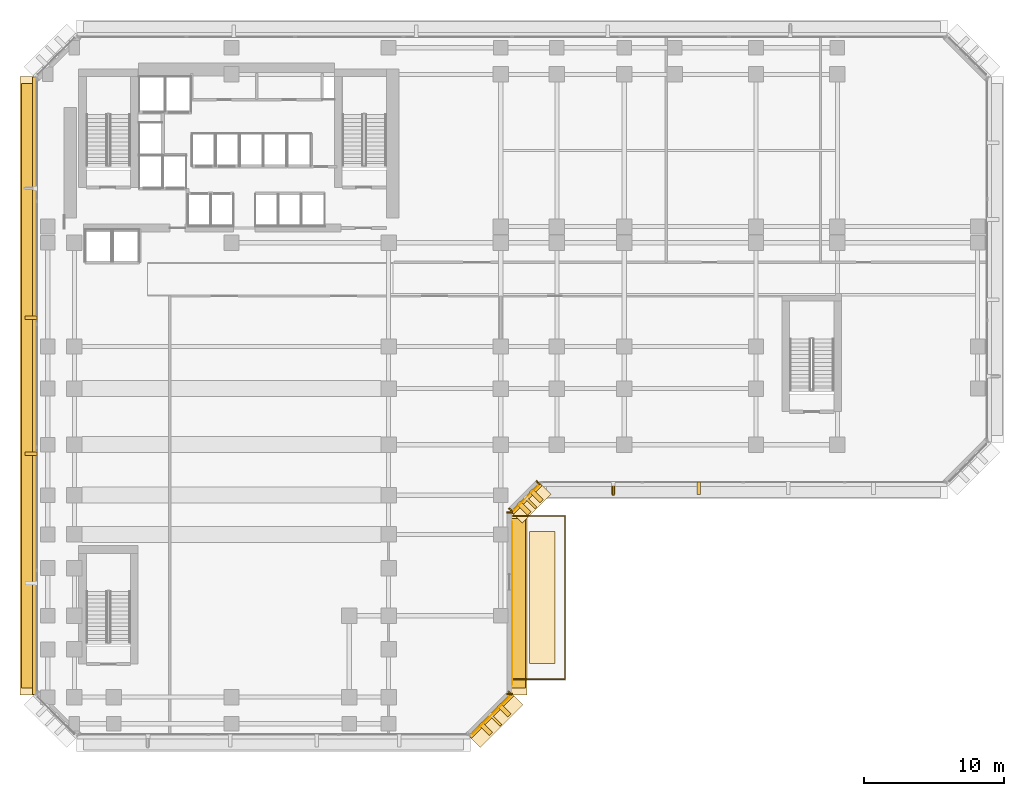
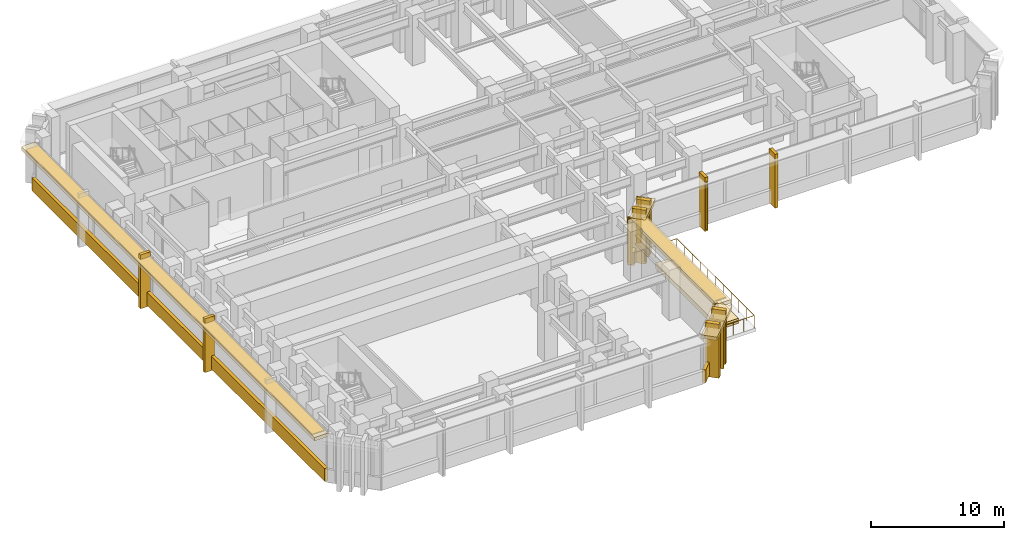
# One storey, part 11 of 16: 24 coverings, 5 shading devices, 1 railing.
"""IFC4 building model written with IfcOpenShell, lengths in metres."""

from ifc_helpers import new_model, si_unit, direction, frame, origin, origin_2d, place, context, subcontext, project, spatial, polyline, rectangle, circle, outline, extrude, material, layer, layer_set, material_profile, profile_set, type_object, element, save


model = new_model("IFC4")

# Units and contexts
model_context = context("Model", 3, precision=1e-05, world=origin(), true_north=direction((0.0, 1.0)))
body_context = subcontext(model_context, "Body", "Model", "MODEL_VIEW")
ifc_project = project(units=[si_unit("LENGTHUNIT", "METRE"), si_unit("AREAUNIT", "SQUARE_METRE"), si_unit("VOLUMEUNIT", "CUBIC_METRE"), si_unit("PLANEANGLEUNIT", "RADIAN"), si_unit("MASSUNIT", "GRAM", prefix="KILO")], contexts=[model_context])

# Site, building, storey
site_placement = place(None, origin())
site = spatial("IfcSite", under=ifc_project, at=site_placement, CompositionType="ELEMENT")
building_placement = place(site_placement, origin())
building = spatial("IfcBuilding", under=site, at=building_placement, Name="Kefirva Bronze Tower", CompositionType="ELEMENT")
storey_placement = place(building_placement, frame((0.0, 0.0, 21.1201171875)))
storey = spatial("IfcBuildingStorey", under=building, at=storey_placement, Name="L04", CompositionType="ELEMENT", Elevation=21.1201171875)

# Coverings
ifc_material_1 = material(Name="Bronze anodised aluminium", Category="aluminium")
ifc_layer_1 = layer(ifc_material_1, 0.02001953125, Name="Bronze anodised aluminium")
ifc_layer_set_1 = layer_set([ifc_layer_1], Name="Bronze anodised aluminium")
covering_type_1 = type_object("IfcCoveringType", Name="Anodised Bronze Spandrel Cladding 20mm", PredefinedType="CLADDING", material=ifc_layer_set_1)
covering_1_placement = place(storey_placement, frame((30.507080078125, -0.507080078125, 3.780029296875), z_axis=(0.0, 0.0, 1.0), x_axis=(0.707106781187, 0.707106781187, 0.0)))
element("IfcCovering", 1, at=covering_1_placement, inside=storey, type_object=covering_type_1, Name="L04 Bronze Spandrel Cladding 1", PredefinedType="CLADDING", context=body_context, shape_type="SweptSolid", body=[
    extrude(rectangle(XDim=3.719482421875, YDim=0.02001953125, at=origin_2d()), origin(), (0.0, 0.0, 1.0), 0.39990234375),
])
covering_2_placement = place(storey_placement, frame((31.847900390625, 1.1025390625, 0.0), z_axis=(0.0, 0.0, 1.0), x_axis=(0.707106781187, 0.707106781187, 0.0)))
element("IfcCovering", 2, at=covering_2_placement, inside=storey, type_object=covering_type_1, Name="L04 Facade Joint Closure Panel 1E", PredefinedType="CLADDING", context=body_context, shape_type="SweptSolid", body=[
    extrude(rectangle(XDim=0.10009765625, YDim=0.360107421875, at=origin_2d()), origin(), (0.0, 0.0, 1.0), 4.199951171875),
])
covering_3_placement = place(storey_placement, frame((30.5283203125, -0.5283203125, -0.16015625), z_axis=(0.0, 0.0, 1.0), x_axis=(0.707106781187, 0.707106781187, 0.0)))
element("IfcCovering", 3, at=covering_3_placement, inside=storey, type_object=covering_type_1, Name="L04 Streamline Horizontal Spandrel Band 1", PredefinedType="CLADDING", context=body_context, shape_type="SweptSolid", body=[
    extrude(rectangle(XDim=4.28271484375, YDim=0.280029296875, at=origin_2d()), origin(), (0.0, 0.0, 1.0), 1.179931640625),
])
covering_4_placement = place(storey_placement, frame((32.010009765625, 7.5, 3.780029296875), z_axis=(0.0, 0.0, 1.0), x_axis=(0.0, 1.0, 0.0)))
element("IfcCovering", 4, at=covering_4_placement, inside=storey, type_object=covering_type_1, Name="L04 Bronze Spandrel Cladding 2", PredefinedType="CLADDING", context=body_context, shape_type="SweptSolid", body=[
    extrude(rectangle(XDim=11.60107421875, YDim=0.02001953125, at=origin_2d()), origin(), (0.0, 0.0, 1.0), 0.39990234375),
])
for number, where, z_axis, x_axis, name in (
    (5, (31.820068359375, 1.034912109375, 0.0), (0.0, 0.0, 1.0), (0.0, 1.0, 0.0), "L04 Facade Joint Closure Panel 2S"),
    (6, (31.820068359375, 13.965087890625, 0.0), (0.0, 0.0, 1.0), (0.0, 1.0, 0.0), "L04 Facade Joint Closure Panel 2E"),
):
    element("IfcCovering", number, at=place(storey_placement, frame(where, z_axis=z_axis, x_axis=x_axis)), inside=storey, type_object=covering_type_1, Name=name, PredefinedType="CLADDING", context=body_context, shape_type="SweptSolid", body=[
        extrude(rectangle(XDim=0.10009765625, YDim=0.360107421875, at=origin_2d()), origin(), (0.0, 0.0, 1.0), 4.199951171875),
    ])
covering_5_placement = place(storey_placement, frame((33.007080078125, 14.992919921875, 3.780029296875), z_axis=(0.0, 0.0, 1.0), x_axis=(0.707106781187, 0.707106781187, 0.0)))
element("IfcCovering", 7, at=covering_5_placement, inside=storey, type_object=covering_type_1, Name="L04 Bronze Spandrel Cladding 3", PredefinedType="CLADDING", context=body_context, shape_type="SweptSolid", body=[
    extrude(rectangle(XDim=2.446533203125, YDim=0.02001953125, at=origin_2d()), origin(), (0.0, 0.0, 1.0), 0.39990234375),
])
for number, where, z_axis, x_axis, name in (
    (8, (31.8974609375, 14.152099609375, 0.0), (0.0, 0.0, 1.0), (0.707106781187, 0.707106781187, 0.0), "L04 Facade Joint Closure Panel 3S"),
    (9, (33.847900390625, 16.1025390625, 0.0), (0.0, 0.0, 1.0), (0.707106781187, 0.707106781187, 0.0), "L04 Facade Joint Closure Panel 3E"),
):
    element("IfcCovering", number, at=place(storey_placement, frame(where, z_axis=z_axis, x_axis=x_axis)), inside=storey, type_object=covering_type_1, Name=name, PredefinedType="CLADDING", context=body_context, shape_type="SweptSolid", body=[
        extrude(rectangle(XDim=0.10009765625, YDim=0.360107421875, at=origin_2d()), origin(), (0.0, 0.0, 1.0), 4.199951171875),
    ])
covering_6_placement = place(storey_placement, frame((33.0283203125, 14.9716796875, -0.16015625), z_axis=(0.0, 0.0, 1.0), x_axis=(0.707106781187, 0.707106781187, 0.0)))
element("IfcCovering", 10, at=covering_6_placement, inside=storey, type_object=covering_type_1, Name="L04 Streamline Horizontal Spandrel Band 3", PredefinedType="CLADDING", context=body_context, shape_type="SweptSolid", body=[
    extrude(rectangle(XDim=2.868408203125, YDim=0.280029296875, at=origin_2d()), origin(), (0.0, 0.0, 1.0), 1.179931640625),
])
covering_7_placement = place(storey_placement, frame((-2.0400390625, 23.0, -0.16015625), z_axis=(0.0, 0.0, 1.0), x_axis=(0.0, -1.0, 0.0)))
element("IfcCovering", 11, at=covering_7_placement, inside=storey, type_object=covering_type_1, Name="L04 Streamline Horizontal Spandrel Band 10", PredefinedType="CLADDING", context=body_context, shape_type="SweptSolid", body=[
    extrude(rectangle(XDim=44.0400390625, YDim=0.280029296875, at=origin_2d()), origin(), (0.0, 0.0, 1.0), 1.179931640625),
])

# Shading devices
ifc_material_profile_1 = material_profile(ifc_material_1, rectangle(XDim=0.179931640625, YDim=1.080078125, at=origin_2d()), Name="BRONZE BUTTRESS FIN 180x1080")
ifc_profile_set_1 = profile_set([ifc_material_profile_1], Name="Bronze anodised aluminium")
shading_device_type_1 = type_object("IfcShadingDeviceType", Name="Chamfered Corner Buttress Bronze Fin 1080mm", PredefinedType="USERDEFINED", material=ifc_profile_set_1)
for number, where, z_axis, x_axis, name in (
    (12, (30.8251953125, -0.8251953125, -0.14013671875), (0.0, 0.0, 1.0), (0.707106781187, 0.707106781187, 0.0), "L04 Chamfered Corner Buttress Fin 6"),
    (13, (33.3251953125, 14.6748046875, -0.14013671875), (0.0, 0.0, 1.0), (0.707106781187, 0.707106781187, 0.0), "L04 Chamfered Corner Buttress Fin 8"),
):
    element("IfcShadingDevice", number, at=place(storey_placement, frame(where, z_axis=z_axis, x_axis=x_axis)), inside=storey, type_object=shading_device_type_1, Name=name, ObjectType="VERTICAL FIN", PredefinedType="USERDEFINED", context=body_context, shape_type="SweptSolid", body=[
        extrude(rectangle(XDim=0.179931640625, YDim=1.080078125, at=origin_2d()), origin(), (0.0, 0.0, 1.0), 4.340087890625),
    ])

# Railing
railing_type = type_object("IfcRailingType", Name="Exterior Ship-Deck Terrace Guardrail 1150mm", PredefinedType="GUARDRAIL", material=ifc_material_1)
railing_placement = place(storey_placement, frame((32.070068359375, 2.080078125, 0.0)))
element("IfcRailing", 14, at=railing_placement, inside=storey, type_object=railing_type, Name="L04 Terrace Perimeter Guardrail", PredefinedType="GUARDRAIL", context=body_context, shape_type="SweptSolid", body=[
    extrude(circle(Radius=0.02392578125, at=origin_2d()), frame((0.0, 0.0, 1.1259765625), z_axis=(1.0, 0.0, 0.0), x_axis=(0.0, 1.0, 0.0)), (0.0, 0.0, 1.0), 3.699951171875),
    extrude(circle(Radius=0.02392578125, at=origin_2d()), frame((3.699951171875, 0.0, 1.1259765625), z_axis=(0.0, 1.0, 0.0), x_axis=(-1.0, 0.0, 0.0)), (0.0, 0.0, 1.0), 11.639892578125),
    extrude(circle(Radius=0.02392578125, at=origin_2d()), frame((3.699951171875, 11.639892578125, 1.1259765625), z_axis=(-1.0, 0.0, 0.0), x_axis=(0.0, -1.0, 0.0)), (0.0, 0.0, 1.0), 3.699951171875),
    extrude(circle(Radius=0.02099609375, at=origin_2d()), origin(), (0.0, 0.0, 1.0), 1.101806640625),
    extrude(circle(Radius=0.02099609375, at=origin_2d()), frame((0.925048828125, 0.0, 0.0)), (0.0, 0.0, 1.0), 1.101806640625),
    extrude(circle(Radius=0.02099609375, at=origin_2d()), frame((1.85009765625, 0.0, 0.0)), (0.0, 0.0, 1.0), 1.101806640625),
    extrude(circle(Radius=0.02099609375, at=origin_2d()), frame((2.77490234375, 0.0, 0.0)), (0.0, 0.0, 1.0), 1.101806640625),
    extrude(circle(Radius=0.02099609375, at=origin_2d()), frame((3.699951171875, 0.0, 0.0)), (0.0, 0.0, 1.0), 1.101806640625),
    extrude(circle(Radius=0.02099609375, at=origin_2d()), frame((3.699951171875, 1.1640625, 0.0)), (0.0, 0.0, 1.0), 1.101806640625),
    extrude(circle(Radius=0.02099609375, at=origin_2d()), frame((3.699951171875, 2.327880859375, 0.0)), (0.0, 0.0, 1.0), 1.101806640625),
    extrude(circle(Radius=0.02099609375, at=origin_2d()), frame((3.699951171875, 3.491943359375, 0.0)), (0.0, 0.0, 1.0), 1.101806640625),
    extrude(circle(Radius=0.02099609375, at=origin_2d()), frame((3.699951171875, 4.656005859375, 0.0)), (0.0, 0.0, 1.0), 1.101806640625),
    extrude(circle(Radius=0.02099609375, at=origin_2d()), frame((3.699951171875, 5.81982421875, 0.0)), (0.0, 0.0, 1.0), 1.101806640625),
    extrude(circle(Radius=0.02099609375, at=origin_2d()), frame((3.699951171875, 6.98388671875, 0.0)), (0.0, 0.0, 1.0), 1.101806640625),
    extrude(circle(Radius=0.02099609375, at=origin_2d()), frame((3.699951171875, 8.14794921875, 0.0)), (0.0, 0.0, 1.0), 1.101806640625),
    extrude(circle(Radius=0.02099609375, at=origin_2d()), frame((3.699951171875, 9.31201171875, 0.0)), (0.0, 0.0, 1.0), 1.101806640625),
    extrude(circle(Radius=0.02099609375, at=origin_2d()), frame((3.699951171875, 10.475830078125, 0.0)), (0.0, 0.0, 1.0), 1.101806640625),
    extrude(circle(Radius=0.02099609375, at=origin_2d()), frame((3.699951171875, 11.639892578125, 0.0)), (0.0, 0.0, 1.0), 1.101806640625),
    extrude(circle(Radius=0.02099609375, at=origin_2d()), frame((2.77490234375, 11.639892578125, 0.0)), (0.0, 0.0, 1.0), 1.101806640625),
    extrude(circle(Radius=0.02099609375, at=origin_2d()), frame((1.85009765625, 11.639892578125, 0.0)), (0.0, 0.0, 1.0), 1.101806640625),
    extrude(circle(Radius=0.02099609375, at=origin_2d()), frame((0.925048828125, 11.639892578125, 0.0)), (0.0, 0.0, 1.0), 1.101806640625),
    extrude(circle(Radius=0.02099609375, at=origin_2d()), frame((0.0, 11.639892578125, 0.0)), (0.0, 0.0, 1.0), 1.101806640625),
])

# Shading devices
ifc_layer_2 = layer(ifc_material_1, 0.1201171875, Name="Bronze anodised aluminium")
ifc_layer_set_2 = layer_set([ifc_layer_2], Name="Bronze anodised aluminium")
shading_device_type_2 = type_object("IfcShadingDeviceType", Name="Podium Deep Bronze Canopy Sunshade 1050mm", PredefinedType="JALOUSIE", material=ifc_layer_set_2)
shading_device_1_placement = place(storey_placement, frame((32.445068359375, 7.5, 4.0947265625), z_axis=(0.0, 0.0, 1.0), x_axis=(0.0, 1.0, 0.0)))
element("IfcShadingDevice", 15, at=shading_device_1_placement, inside=storey, type_object=shading_device_type_2, Name="L04 Horizontal Bronze Sunshade Band 2", PredefinedType="JALOUSIE", context=body_context, shape_type="SweptSolid", body=[
    extrude(rectangle(XDim=12.090087890625, YDim=1.050048828125, at=origin_2d()), origin(), (0.0, 0.0, 1.0), 0.090087890625),
])
shading_device_2_placement = place(storey_placement, frame((-2.445068359375, 23.0, 4.0947265625), z_axis=(0.0, 0.0, 1.0), x_axis=(0.0, -1.0, 0.0)))
element("IfcShadingDevice", 16, at=shading_device_2_placement, inside=storey, type_object=shading_device_type_2, Name="L04 Horizontal Bronze Sunshade Band 10", PredefinedType="JALOUSIE", context=body_context, shape_type="SweptSolid", body=[
    extrude(rectangle(XDim=43.090087890625, YDim=1.050048828125, at=origin_2d()), origin(), (0.0, 0.0, 1.0), 0.090087890625),
])

# Coverings
ifc_material_2 = material(Name="Planted sky-garden soil substrate")
ifc_layer_3 = layer(ifc_material_2, 0.449951171875, Name="Planted sky-garden soil substrate")
ifc_layer_set_3 = layer_set([ifc_layer_3], Name="Planted sky-garden soil substrate")
covering_type_2 = type_object("IfcCoveringType", Name="Sky-Garden Planted Substrate Bed 450mm", PredefinedType="USERDEFINED", material=ifc_layer_set_3)
covering_8_placement = place(storey_placement, origin())
element("IfcCovering", 17, at=covering_8_placement, inside=storey, type_object=covering_type_2, Name="L04 Sky-Garden Planter Bed", ObjectType="PLANTER", PredefinedType="USERDEFINED", context=body_context, shape_type="SweptSolid", body=[
    extrude(outline(polyline([(33.25, 3.199951171875), (35.050048828125, 3.199951171875), (35.050048828125, 12.60009765625), (33.25, 12.60009765625), (33.25, 3.199951171875)])), origin(), (0.0, 0.0, 1.0), 0.449951171875),
])
ifc_layer_4 = layer(ifc_material_1, 0.179931640625, Name="Bronze anodised aluminium")
ifc_layer_set_4 = layer_set([ifc_layer_4], Name="Bronze anodised aluminium")
covering_type_3 = type_object("IfcCoveringType", Name="Streamline Bronze Sunshade Eyebrow Cladding 180mm", PredefinedType="CLADDING", material=ifc_layer_set_4)
covering_9_placement = place(storey_placement, frame((30.8251953125, -0.8251953125, 3.8798828125), z_axis=(0.0, 0.0, 1.0), x_axis=(0.707106781187, 0.707106781187, 0.0)))
element("IfcCovering", 18, at=covering_9_placement, inside=storey, type_object=covering_type_3, Name="L04 Streamline Bronze Sunshade Eyebrow 1", PredefinedType="CLADDING", context=body_context, shape_type="SweptSolid", body=[
    extrude(rectangle(XDim=4.322509765625, YDim=1.239990234375, at=origin_2d()), origin(), (0.0, 0.0, 1.0), 0.320068359375),
])
covering_10_placement = place(storey_placement, frame((32.4599609375, 7.5, 3.8798828125), z_axis=(0.0, 0.0, 1.0), x_axis=(0.0, 1.0, 0.0)))
element("IfcCovering", 19, at=covering_10_placement, inside=storey, type_object=covering_type_3, Name="L04 Streamline Bronze Sunshade Eyebrow 2", PredefinedType="CLADDING", context=body_context, shape_type="SweptSolid", body=[
    extrude(rectangle(XDim=13.080078125, YDim=1.239990234375, at=origin_2d()), origin(), (0.0, 0.0, 1.0), 0.320068359375),
])
covering_11_placement = place(storey_placement, frame((33.3251953125, 14.6748046875, 3.8798828125), z_axis=(0.0, 0.0, 1.0), x_axis=(0.707106781187, 0.707106781187, 0.0)))
element("IfcCovering", 20, at=covering_11_placement, inside=storey, type_object=covering_type_3, Name="L04 Streamline Bronze Sunshade Eyebrow 3", PredefinedType="CLADDING", context=body_context, shape_type="SweptSolid", body=[
    extrude(rectangle(XDim=2.908447265625, YDim=1.239990234375, at=origin_2d()), origin(), (0.0, 0.0, 1.0), 0.320068359375),
])
covering_12_placement = place(storey_placement, frame((-2.4599609375, 23.0, 3.8798828125), z_axis=(0.0, 0.0, 1.0), x_axis=(0.0, -1.0, 0.0)))
element("IfcCovering", 21, at=covering_12_placement, inside=storey, type_object=covering_type_3, Name="L04 Streamline Bronze Sunshade Eyebrow 10", PredefinedType="CLADDING", context=body_context, shape_type="SweptSolid", body=[
    extrude(rectangle(XDim=44.080078125, YDim=1.239990234375, at=origin_2d()), origin(), (0.0, 0.0, 1.0), 0.320068359375),
])
ifc_layer_5 = layer(ifc_material_1, 0.260009765625, Name="Bronze anodised aluminium")
ifc_layer_set_5 = layer_set([ifc_layer_5], Name="Bronze anodised aluminium")
covering_type_4 = type_object("IfcCoveringType", Name="Unbroken Bronze Buttress Fin Cladding 260mm", PredefinedType="CLADDING", material=ifc_layer_set_5)
for number, where, z_axis, x_axis, name in (
    (22, (30.122802734375, -1.44287109375, -0.320068359375), (0.0, 0.0, 1.0), (0.707106781187, 0.707106781187, 0.0), "L04 Chamfered Corner Buttress Fin Cladding 5"),
    (23, (31.44287109375, -0.122802734375, -0.320068359375), (0.0, 0.0, 1.0), (0.707106781187, 0.707106781187, 0.0), "L04 Chamfered Corner Buttress Fin Cladding 6"),
    (24, (32.8427734375, 14.277099609375, -0.320068359375), (0.0, 0.0, 1.0), (0.707106781187, 0.707106781187, 0.0), "L04 Chamfered Corner Buttress Fin Cladding 7"),
    (25, (33.722900390625, 15.1572265625, -0.320068359375), (0.0, 0.0, 1.0), (0.707106781187, 0.707106781187, 0.0), "L04 Chamfered Corner Buttress Fin Cladding 8"),
):
    element("IfcCovering", number, at=place(storey_placement, frame(where, z_axis=z_axis, x_axis=x_axis)), inside=storey, type_object=covering_type_4, Name=name, PredefinedType="CLADDING", context=body_context, shape_type="SweptSolid", body=[
        extrude(rectangle(XDim=0.340087890625, YDim=1.080078125, at=origin_2d()), origin(), (0.0, 0.0, 1.0), 4.93994140625),
    ])
for number, where, z_axis, x_axis, name in (
    (26, (39.219970703125, 15.699951171875, -0.320068359375), (0.0, 0.0, 1.0), (1.0, 0.0, 0.0), "L04 Unbroken Vertical Bronze Rib Fin 9"),
    (27, (45.31005859375, 15.699951171875, -0.320068359375), (0.0, 0.0, 1.0), (1.0, 0.0, 0.0), "L04 Unbroken Vertical Bronze Rib Fin 10"),
    (28, (-2.300048828125, 27.840087890625, -0.320068359375), (0.0, 0.0, 1.0), (0.0, -1.0, 0.0), "L04 Unbroken Vertical Bronze Rib Fin 28"),
    (29, (-2.300048828125, 18.159912109375, -0.320068359375), (0.0, 0.0, 1.0), (0.0, -1.0, 0.0), "L04 Unbroken Vertical Bronze Rib Fin 29"),
):
    element("IfcCovering", number, at=place(storey_placement, frame(where, z_axis=z_axis, x_axis=x_axis)), inside=storey, type_object=covering_type_4, Name=name, PredefinedType="CLADDING", context=body_context, shape_type="SweptSolid", body=[
        extrude(rectangle(XDim=0.260009765625, YDim=0.8798828125, at=origin_2d()), origin(), (0.0, 0.0, 1.0), 4.93994140625),
    ])

# Shading device
ifc_material_profile_2 = material_profile(ifc_material_1, rectangle(XDim=0.139892578125, YDim=0.8798828125, at=origin_2d()), Name="BRONZE FIN 140x880")
ifc_profile_set_2 = profile_set([ifc_material_profile_2], Name="Bronze anodised aluminium")
shading_device_type_3 = type_object("IfcShadingDeviceType", Name="Unbroken Vertical Bronze Facade Fin 880mm", PredefinedType="USERDEFINED", material=ifc_profile_set_2)
shading_device_3_placement = place(storey_placement, frame((39.219970703125, 15.639892578125, -0.14013671875), z_axis=(0.0, 0.0, 1.0), x_axis=(1.0, 0.0, 0.0)))
element("IfcShadingDevice", 30, at=shading_device_3_placement, inside=storey, type_object=shading_device_type_3, Name="L04 Vertical Bronze Rib Fin 9", ObjectType="VERTICAL FIN", PredefinedType="USERDEFINED", context=body_context, shape_type="SweptSolid", body=[
    extrude(rectangle(XDim=0.139892578125, YDim=0.8798828125, at=origin_2d()), origin(), (0.0, 0.0, 1.0), 4.340087890625),
])

save(model, "model.ifc")
